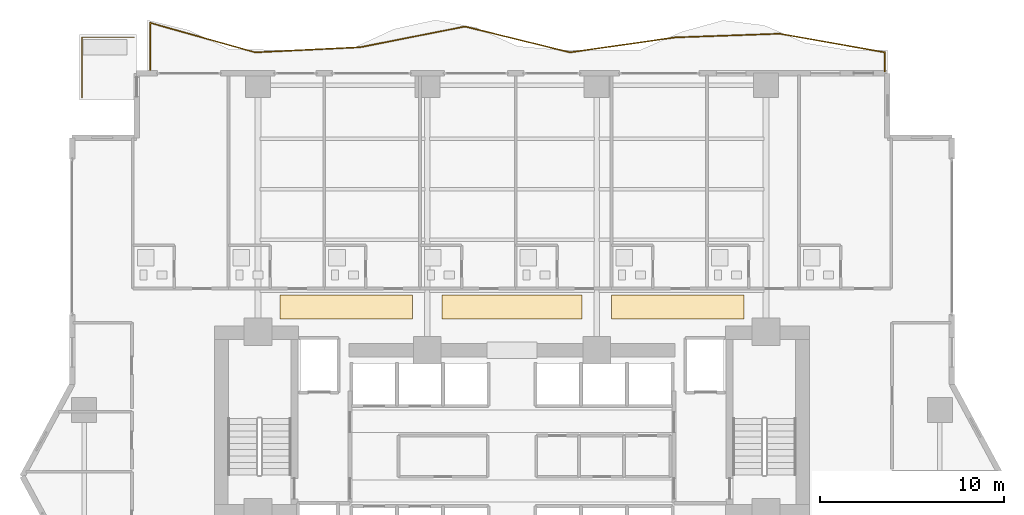
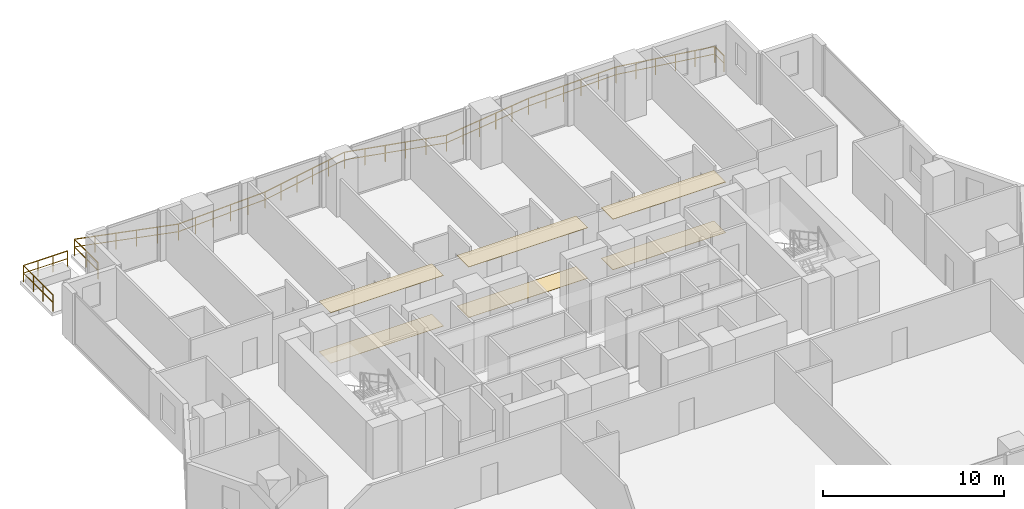
# One storey, part 28 of 29: 6 coverings, 2 railings.
"""IFC4 building model written with IfcOpenShell, lengths in metres."""

from ifc_helpers import new_model, si_unit, direction, frame, origin, origin_2d, place, context, subcontext, project, spatial, polyline, rectangle, outline, extrude, material, layer, layer_set, type_object, element, save


model = new_model("IFC4")

# Units and contexts
model_context = context("Model", 3, precision=1e-05, world=origin(), true_north=direction((0.0, 1.0)))
body_context = subcontext(model_context, "Body", "Model", "MODEL_VIEW")
ifc_project = project(units=[si_unit("LENGTHUNIT", "METRE"), si_unit("AREAUNIT", "SQUARE_METRE"), si_unit("VOLUMEUNIT", "CUBIC_METRE"), si_unit("PLANEANGLEUNIT", "RADIAN"), si_unit("MASSUNIT", "GRAM", prefix="KILO")], contexts=[model_context])

# Site, building, storey
site_placement = place(None, origin())
site = spatial("IfcSite", under=ifc_project, at=site_placement, CompositionType="ELEMENT")
building_placement = place(site_placement, origin())
building = spatial("IfcBuilding", under=site, at=building_placement, Name="Zuhayl Quay Hotel", CompositionType="ELEMENT")
storey_placement = place(building_placement, frame((0.0, 0.0, 113.89990234375)))
storey = spatial("IfcBuildingStorey", under=building, at=storey_placement, Name="L28", CompositionType="ELEMENT", Elevation=113.89990234375)

# Coverings
ifc_material_1 = material(Name="Acoustic Mineral-Fibre Gypsum Board")
ifc_layer_1 = layer(ifc_material_1, 0.02490234375, Name="Acoustic Mineral-Fibre Gypsum Board")
ifc_layer_set_1 = layer_set([ifc_layer_1], Name="Acoustic Mineral-Fibre Gypsum Board")
covering_type_1 = type_object("IfcCoveringType", Name="CV_CEIL_ACOUSTIC", PredefinedType="CEILING", material=ifc_layer_set_1)
covering_1_placement = place(storey_placement, frame((0.0, 0.0, 3.405029296875)))
element("IfcCovering", 1, at=covering_1_placement, inside=storey, type_object=covering_type_1, Name="L28 Guest Corridor Acoustic Ceiling CW", PredefinedType="CEILING", context=body_context, shape_type="SweptSolid", body=[
    extrude(outline(polyline([(-12.60009765625, 15.050048828125), (-5.39990234375, 15.050048828125), (-5.39990234375, 16.35009765625), (-12.60009765625, 16.35009765625), (-12.60009765625, 15.050048828125)])), origin(), (0.0, 0.0, 1.0), 0.025146484375),
])
covering_2_placement = place(storey_placement, frame((0.0, 0.0, 3.405029296875)))
element("IfcCovering", 2, at=covering_2_placement, inside=storey, type_object=covering_type_1, Name="L28 Guest Corridor Acoustic Ceiling CC", PredefinedType="CEILING", context=body_context, shape_type="SweptSolid", body=[
    extrude(outline(polyline([(-3.800048828125, 15.050048828125), (3.800048828125, 15.050048828125), (3.800048828125, 16.35009765625), (-3.800048828125, 16.35009765625), (-3.800048828125, 15.050048828125)])), origin(), (0.0, 0.0, 1.0), 0.025146484375),
])
covering_3_placement = place(storey_placement, frame((0.0, 0.0, 3.405029296875)))
element("IfcCovering", 3, at=covering_3_placement, inside=storey, type_object=covering_type_1, Name="L28 Guest Corridor Acoustic Ceiling CE", PredefinedType="CEILING", context=body_context, shape_type="SweptSolid", body=[
    extrude(outline(polyline([(5.39990234375, 15.050048828125), (12.60009765625, 15.050048828125), (12.60009765625, 16.35009765625), (5.39990234375, 16.35009765625), (5.39990234375, 15.050048828125)])), origin(), (0.0, 0.0, 1.0), 0.025146484375),
])
ifc_material_2 = material(Name="Polished Limestone Terrazzo", Category="masonry")
ifc_layer_2 = layer(ifc_material_2, 0.02001953125, Name="Polished Limestone Terrazzo", Category="masonry")
ifc_layer_set_2 = layer_set([ifc_layer_2], Name="Polished Limestone Terrazzo")
covering_type_2 = type_object("IfcCoveringType", Name="CV_FLOOR_TERRAZZO", PredefinedType="FLOORING", material=ifc_layer_set_2)
covering_4_placement = place(storey_placement, origin())
element("IfcCovering", 4, at=covering_4_placement, inside=storey, type_object=covering_type_2, Name="L28 Guest Corridor Terrazzo Runner CW", PredefinedType="FLOORING", context=body_context, shape_type="SweptSolid", body=[
    extrude(outline(polyline([(-12.60009765625, 15.050048828125), (-5.39990234375, 15.050048828125), (-5.39990234375, 16.35009765625), (-12.60009765625, 16.35009765625), (-12.60009765625, 15.050048828125)])), origin(), (0.0, 0.0, 1.0), 0.02001953125),
])
covering_5_placement = place(storey_placement, origin())
element("IfcCovering", 5, at=covering_5_placement, inside=storey, type_object=covering_type_2, Name="L28 Guest Corridor Terrazzo Runner CC", PredefinedType="FLOORING", context=body_context, shape_type="SweptSolid", body=[
    extrude(outline(polyline([(-3.800048828125, 15.050048828125), (3.800048828125, 15.050048828125), (3.800048828125, 16.35009765625), (-3.800048828125, 16.35009765625), (-3.800048828125, 15.050048828125)])), origin(), (0.0, 0.0, 1.0), 0.02001953125),
])
covering_6_placement = place(storey_placement, origin())
element("IfcCovering", 6, at=covering_6_placement, inside=storey, type_object=covering_type_2, Name="L28 Guest Corridor Terrazzo Runner CE", PredefinedType="FLOORING", context=body_context, shape_type="SweptSolid", body=[
    extrude(outline(polyline([(5.39990234375, 15.050048828125), (12.60009765625, 15.050048828125), (12.60009765625, 16.35009765625), (5.39990234375, 16.35009765625), (5.39990234375, 15.050048828125)])), origin(), (0.0, 0.0, 1.0), 0.02001953125),
])

# Railings
ifc_material_3 = material(Name="Anodised Aluminium and Laminated Glass", Category="aluminium")
railing_type = type_object("IfcRailingType", Name="RL_EXT_BAL_1100", PredefinedType="BALUSTRADE", material=ifc_material_3)
railing_1_placement = place(storey_placement, frame((-19.659912109375, 28.52001953125, 0.0)))
element("IfcRailing", 7, at=railing_1_placement, inside=storey, type_object=railing_type, Name="L28 Balcony and Terrace Guard GR_L28_BAL_N", PredefinedType="BALUSTRADE", context=body_context, shape_type="SweptSolid", body=[
    extrude(rectangle(XDim=0.048095703125, YDim=0.048095703125, at=origin_2d()), frame((0.0, 0.0, 1.09619140625), z_axis=(0.0, 1.0, 0.0), x_axis=(-1.0, 0.0, 0.0)), (0.0, 0.0, 1.0), 2.6240234375),
    extrude(rectangle(XDim=0.0361328125, YDim=0.0361328125, at=origin_2d()), frame((0.0, 0.0, 0.58251953125), z_axis=(0.0, 1.0, 0.0), x_axis=(-1.0, 0.0, 0.0)), (0.0, 0.0, 1.0), 2.6240234375),
    extrude(rectangle(XDim=0.048095703125, YDim=0.048095703125, at=origin_2d()), frame((0.0, 2.6240234375, 1.09619140625), z_axis=(0.962647919197, -0.27075631787, 0.0), x_axis=(0.27075631787, 0.962647919197, 0.0)), (0.0, 0.0, 1.0), 5.924072265625),
    extrude(rectangle(XDim=0.0361328125, YDim=0.0361328125, at=origin_2d()), frame((0.0, 2.6240234375, 0.58251953125), z_axis=(0.962647919197, -0.27075631787, 0.0), x_axis=(0.27075631787, 0.962647919197, 0.0)), (0.0, 0.0, 1.0), 5.924072265625),
    extrude(rectangle(XDim=0.048095703125, YDim=0.048095703125, at=origin_2d()), frame((5.702880859375, 1.02001953125, 1.09619140625), z_axis=(0.998813213803, 0.048704865593, 0.0), x_axis=(-0.048704865593, 0.998813213803, 0.0)), (0.0, 0.0, 1.0), 5.70947265625),
    extrude(rectangle(XDim=0.0361328125, YDim=0.0361328125, at=origin_2d()), frame((5.702880859375, 1.02001953125, 0.58251953125), z_axis=(0.998813213803, 0.048704865593, 0.0), x_axis=(-0.048704865593, 0.998813213803, 0.0)), (0.0, 0.0, 1.0), 5.70947265625),
    extrude(rectangle(XDim=0.048095703125, YDim=0.048095703125, at=origin_2d()), frame((11.405517578125, 1.298095703125, 1.09619140625), z_axis=(0.981020768192, 0.193902687904, 0.0), x_axis=(-0.193902687904, 0.981020768192, 0.0)), (0.0, 0.0, 1.0), 5.813232421875),
    extrude(rectangle(XDim=0.0361328125, YDim=0.0361328125, at=origin_2d()), frame((11.405517578125, 1.298095703125, 0.58251953125), z_axis=(0.981020768192, 0.193902687904, 0.0), x_axis=(-0.193902687904, 0.981020768192, 0.0)), (0.0, 0.0, 1.0), 5.813232421875),
    extrude(rectangle(XDim=0.048095703125, YDim=0.048095703125, at=origin_2d()), frame((17.1083984375, 2.42529296875, 1.09619140625), z_axis=(0.970956075536, -0.239257809443, 0.0), x_axis=(0.239257809443, 0.970956075536, 0.0)), (0.0, 0.0, 1.0), 5.87353515625),
    extrude(rectangle(XDim=0.0361328125, YDim=0.0361328125, at=origin_2d()), frame((17.1083984375, 2.42529296875, 0.58251953125), z_axis=(0.970956075536, -0.239257809443, 0.0), x_axis=(0.239257809443, 0.970956075536, 0.0)), (0.0, 0.0, 1.0), 5.87353515625),
    extrude(rectangle(XDim=0.048095703125, YDim=0.048095703125, at=origin_2d()), frame((22.811279296875, 1.02001953125, 1.09619140625), z_axis=(0.990008741785, 0.141005997, 0.0), x_axis=(-0.141005997, 0.990008741785, 0.0)), (0.0, 0.0, 1.0), 5.760498046875),
    extrude(rectangle(XDim=0.0361328125, YDim=0.0361328125, at=origin_2d()), frame((22.811279296875, 1.02001953125, 0.58251953125), z_axis=(0.990008741785, 0.141005997, 0.0), x_axis=(-0.141005997, 0.990008741785, 0.0)), (0.0, 0.0, 1.0), 5.760498046875),
    extrude(rectangle(XDim=0.048095703125, YDim=0.048095703125, at=origin_2d()), frame((28.51416015625, 1.832275390625, 1.09619140625), z_axis=(0.999381411238, 0.035168094526, 0.0), x_axis=(-0.035168094526, 0.999381411238, 0.0)), (0.0, 0.0, 1.0), 5.706298828125),
    extrude(rectangle(XDim=0.0361328125, YDim=0.0361328125, at=origin_2d()), frame((28.51416015625, 1.832275390625, 0.58251953125), z_axis=(0.999381411238, 0.035168094526, 0.0), x_axis=(-0.035168094526, 0.999381411238, 0.0)), (0.0, 0.0, 1.0), 5.706298828125),
    extrude(rectangle(XDim=0.048095703125, YDim=0.048095703125, at=origin_2d()), frame((34.217041015625, 2.032958984375, 1.09619140625), z_axis=(0.984589452948, -0.174881700427, 0.0), x_axis=(0.174881700427, 0.984589452948, 0.0)), (0.0, 0.0, 1.0), 5.792236328125),
    extrude(rectangle(XDim=0.0361328125, YDim=0.0361328125, at=origin_2d()), frame((34.217041015625, 2.032958984375, 0.58251953125), z_axis=(0.984589452948, -0.174881700427, 0.0), x_axis=(0.174881700427, 0.984589452948, 0.0)), (0.0, 0.0, 1.0), 5.792236328125),
    extrude(rectangle(XDim=0.048095703125, YDim=0.048095703125, at=origin_2d()), frame((39.919921875, 1.02001953125, 1.09619140625), z_axis=(0.0, -1.0, 0.0), x_axis=(1.0, 0.0, 0.0)), (0.0, 0.0, 1.0), 1.02001953125),
    extrude(rectangle(XDim=0.0361328125, YDim=0.0361328125, at=origin_2d()), frame((39.919921875, 1.02001953125, 0.58251953125), z_axis=(0.0, -1.0, 0.0), x_axis=(1.0, 0.0, 0.0)), (0.0, 0.0, 1.0), 1.02001953125),
    extrude(rectangle(XDim=0.0419921875, YDim=0.0419921875, at=origin_2d()), origin(), (0.0, 0.0, 1.0), 1.072021484375),
    extrude(rectangle(XDim=0.0419921875, YDim=0.0419921875, at=origin_2d()), frame((0.0, 1.31201171875, 0.0)), (0.0, 0.0, 1.0), 1.072021484375),
    extrude(rectangle(XDim=0.0419921875, YDim=0.0419921875, at=origin_2d()), frame((0.0, 2.6240234375, 0.0)), (0.0, 0.0, 1.0), 1.072021484375),
    extrude(rectangle(XDim=0.0419921875, YDim=0.0419921875, at=origin_2d()), frame((1.140625, 2.30322265625, 0.0)), (0.0, 0.0, 1.0), 1.072021484375),
    extrude(rectangle(XDim=0.0419921875, YDim=0.0419921875, at=origin_2d()), frame((2.28125, 1.982421875, 0.0)), (0.0, 0.0, 1.0), 1.072021484375),
    extrude(rectangle(XDim=0.0419921875, YDim=0.0419921875, at=origin_2d()), frame((3.421630859375, 1.66162109375, 0.0)), (0.0, 0.0, 1.0), 1.072021484375),
    extrude(rectangle(XDim=0.0419921875, YDim=0.0419921875, at=origin_2d()), frame((4.562255859375, 1.3408203125, 0.0)), (0.0, 0.0, 1.0), 1.072021484375),
    extrude(rectangle(XDim=0.0419921875, YDim=0.0419921875, at=origin_2d()), frame((5.702880859375, 1.02001953125, 0.0)), (0.0, 0.0, 1.0), 1.072021484375),
    extrude(rectangle(XDim=0.0419921875, YDim=0.0419921875, at=origin_2d()), frame((6.843505859375, 1.07568359375, 0.0)), (0.0, 0.0, 1.0), 1.072021484375),
    extrude(rectangle(XDim=0.0419921875, YDim=0.0419921875, at=origin_2d()), frame((7.98388671875, 1.13134765625, 0.0)), (0.0, 0.0, 1.0), 1.072021484375),
    extrude(rectangle(XDim=0.0419921875, YDim=0.0419921875, at=origin_2d()), frame((9.12451171875, 1.186767578125, 0.0)), (0.0, 0.0, 1.0), 1.072021484375),
    extrude(rectangle(XDim=0.0419921875, YDim=0.0419921875, at=origin_2d()), frame((10.264892578125, 1.242431640625, 0.0)), (0.0, 0.0, 1.0), 1.072021484375),
    extrude(rectangle(XDim=0.0419921875, YDim=0.0419921875, at=origin_2d()), frame((11.405517578125, 1.298095703125, 0.0)), (0.0, 0.0, 1.0), 1.072021484375),
    extrude(rectangle(XDim=0.0419921875, YDim=0.0419921875, at=origin_2d()), frame((12.546142578125, 1.5234375, 0.0)), (0.0, 0.0, 1.0), 1.072021484375),
    extrude(rectangle(XDim=0.0419921875, YDim=0.0419921875, at=origin_2d()), frame((13.686767578125, 1.7490234375, 0.0)), (0.0, 0.0, 1.0), 1.072021484375),
    extrude(rectangle(XDim=0.0419921875, YDim=0.0419921875, at=origin_2d()), frame((14.8271484375, 1.974365234375, 0.0)), (0.0, 0.0, 1.0), 1.072021484375),
    extrude(rectangle(XDim=0.0419921875, YDim=0.0419921875, at=origin_2d()), frame((15.9677734375, 2.199951171875, 0.0)), (0.0, 0.0, 1.0), 1.072021484375),
    extrude(rectangle(XDim=0.0419921875, YDim=0.0419921875, at=origin_2d()), frame((17.1083984375, 2.42529296875, 0.0)), (0.0, 0.0, 1.0), 1.072021484375),
    extrude(rectangle(XDim=0.0419921875, YDim=0.0419921875, at=origin_2d()), frame((18.2490234375, 2.144287109375, 0.0)), (0.0, 0.0, 1.0), 1.072021484375),
    extrude(rectangle(XDim=0.0419921875, YDim=0.0419921875, at=origin_2d()), frame((19.3896484375, 1.86328125, 0.0)), (0.0, 0.0, 1.0), 1.072021484375),
    extrude(rectangle(XDim=0.0419921875, YDim=0.0419921875, at=origin_2d()), frame((20.530029296875, 1.58203125, 0.0)), (0.0, 0.0, 1.0), 1.072021484375),
    extrude(rectangle(XDim=0.0419921875, YDim=0.0419921875, at=origin_2d()), frame((21.670654296875, 1.301025390625, 0.0)), (0.0, 0.0, 1.0), 1.072021484375),
    extrude(rectangle(XDim=0.0419921875, YDim=0.0419921875, at=origin_2d()), frame((22.811279296875, 1.02001953125, 0.0)), (0.0, 0.0, 1.0), 1.072021484375),
    extrude(rectangle(XDim=0.0419921875, YDim=0.0419921875, at=origin_2d()), frame((23.951904296875, 1.182373046875, 0.0)), (0.0, 0.0, 1.0), 1.072021484375),
    extrude(rectangle(XDim=0.0419921875, YDim=0.0419921875, at=origin_2d()), frame((25.092529296875, 1.344970703125, 0.0)), (0.0, 0.0, 1.0), 1.072021484375),
    extrude(rectangle(XDim=0.0419921875, YDim=0.0419921875, at=origin_2d()), frame((26.23291015625, 1.50732421875, 0.0)), (0.0, 0.0, 1.0), 1.072021484375),
    extrude(rectangle(XDim=0.0419921875, YDim=0.0419921875, at=origin_2d()), frame((27.37353515625, 1.669921875, 0.0)), (0.0, 0.0, 1.0), 1.072021484375),
    extrude(rectangle(XDim=0.0419921875, YDim=0.0419921875, at=origin_2d()), frame((28.51416015625, 1.832275390625, 0.0)), (0.0, 0.0, 1.0), 1.072021484375),
    extrude(rectangle(XDim=0.0419921875, YDim=0.0419921875, at=origin_2d()), frame((29.65478515625, 1.872314453125, 0.0)), (0.0, 0.0, 1.0), 1.072021484375),
    extrude(rectangle(XDim=0.0419921875, YDim=0.0419921875, at=origin_2d()), frame((30.79541015625, 1.91259765625, 0.0)), (0.0, 0.0, 1.0), 1.072021484375),
    extrude(rectangle(XDim=0.0419921875, YDim=0.0419921875, at=origin_2d()), frame((31.935791015625, 1.95263671875, 0.0)), (0.0, 0.0, 1.0), 1.072021484375),
    extrude(rectangle(XDim=0.0419921875, YDim=0.0419921875, at=origin_2d()), frame((33.076416015625, 1.992919921875, 0.0)), (0.0, 0.0, 1.0), 1.072021484375),
    extrude(rectangle(XDim=0.0419921875, YDim=0.0419921875, at=origin_2d()), frame((34.217041015625, 2.032958984375, 0.0)), (0.0, 0.0, 1.0), 1.072021484375),
    extrude(rectangle(XDim=0.0419921875, YDim=0.0419921875, at=origin_2d()), frame((35.357666015625, 1.830322265625, 0.0)), (0.0, 0.0, 1.0), 1.072021484375),
    extrude(rectangle(XDim=0.0419921875, YDim=0.0419921875, at=origin_2d()), frame((36.498291015625, 1.627685546875, 0.0)), (0.0, 0.0, 1.0), 1.072021484375),
    extrude(rectangle(XDim=0.0419921875, YDim=0.0419921875, at=origin_2d()), frame((37.638671875, 1.42529296875, 0.0)), (0.0, 0.0, 1.0), 1.072021484375),
    extrude(rectangle(XDim=0.0419921875, YDim=0.0419921875, at=origin_2d()), frame((38.779296875, 1.22265625, 0.0)), (0.0, 0.0, 1.0), 1.072021484375),
    extrude(rectangle(XDim=0.0419921875, YDim=0.0419921875, at=origin_2d()), frame((39.919921875, 1.02001953125, 0.0)), (0.0, 0.0, 1.0), 1.072021484375),
    extrude(rectangle(XDim=0.0419921875, YDim=0.0419921875, at=origin_2d()), frame((39.919921875, 0.0, 0.0)), (0.0, 0.0, 1.0), 1.072021484375),
])
railing_2_placement = place(storey_placement, frame((-20.5400390625, 30.360107421875, 0.0)))
element("IfcRailing", 8, at=railing_2_placement, inside=storey, type_object=railing_type, Name="L28 Balcony and Terrace Guard GR_L28_SPIRAL_NW", PredefinedType="BALUSTRADE", context=body_context, shape_type="SweptSolid", body=[
    extrude(rectangle(XDim=0.048095703125, YDim=0.048095703125, at=origin_2d()), frame((0.0, 0.0, 1.09619140625), z_axis=(-1.0, 0.0, 0.0), x_axis=(0.0, -1.0, 0.0)), (0.0, 0.0, 1.0), 2.820068359375),
    extrude(rectangle(XDim=0.0361328125, YDim=0.0361328125, at=origin_2d()), frame((0.0, 0.0, 0.58251953125), z_axis=(-1.0, 0.0, 0.0), x_axis=(0.0, -1.0, 0.0)), (0.0, 0.0, 1.0), 2.820068359375),
    extrude(rectangle(XDim=0.048095703125, YDim=0.048095703125, at=origin_2d()), frame((-2.820068359375, 0.0, 1.09619140625), z_axis=(0.0, -1.0, 0.0), x_axis=(1.0, 0.0, 0.0)), (0.0, 0.0, 1.0), 3.27001953125),
    extrude(rectangle(XDim=0.0361328125, YDim=0.0361328125, at=origin_2d()), frame((-2.820068359375, 0.0, 0.58251953125), z_axis=(0.0, -1.0, 0.0), x_axis=(1.0, 0.0, 0.0)), (0.0, 0.0, 1.0), 3.27001953125),
    extrude(rectangle(XDim=0.0419921875, YDim=0.0419921875, at=origin_2d()), origin(), (0.0, 0.0, 1.0), 1.072021484375),
    extrude(rectangle(XDim=0.0419921875, YDim=0.0419921875, at=origin_2d()), frame((-0.93994140625, 0.0, 0.0)), (0.0, 0.0, 1.0), 1.072021484375),
    extrude(rectangle(XDim=0.0419921875, YDim=0.0419921875, at=origin_2d()), frame((-1.880126953125, 0.0, 0.0)), (0.0, 0.0, 1.0), 1.072021484375),
    extrude(rectangle(XDim=0.0419921875, YDim=0.0419921875, at=origin_2d()), frame((-2.820068359375, 0.0, 0.0)), (0.0, 0.0, 1.0), 1.072021484375),
    extrude(rectangle(XDim=0.0419921875, YDim=0.0419921875, at=origin_2d()), frame((-2.820068359375, -1.090087890625, 0.0)), (0.0, 0.0, 1.0), 1.072021484375),
    extrude(rectangle(XDim=0.0419921875, YDim=0.0419921875, at=origin_2d()), frame((-2.820068359375, -2.179931640625, 0.0)), (0.0, 0.0, 1.0), 1.072021484375),
    extrude(rectangle(XDim=0.0419921875, YDim=0.0419921875, at=origin_2d()), frame((-2.820068359375, -3.27001953125, 0.0)), (0.0, 0.0, 1.0), 1.072021484375),
])

save(model, "model.ifc")
